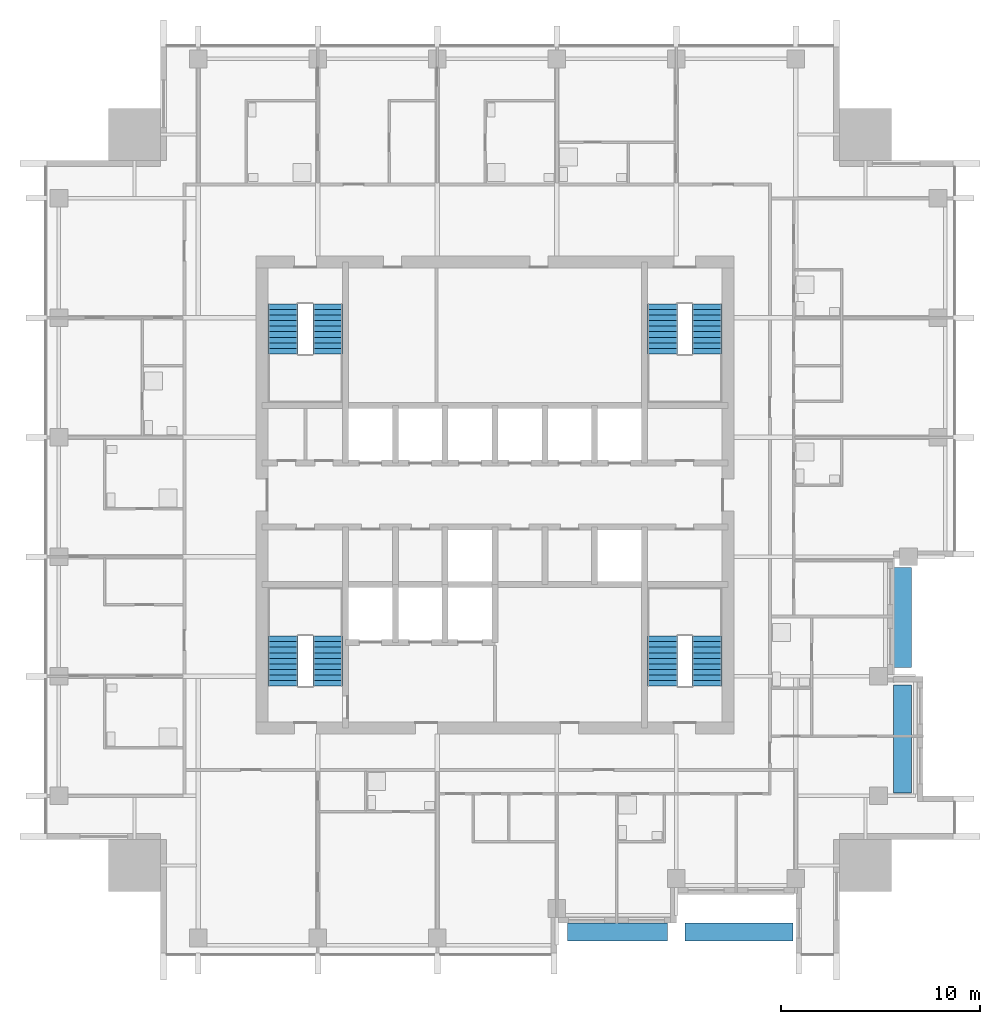
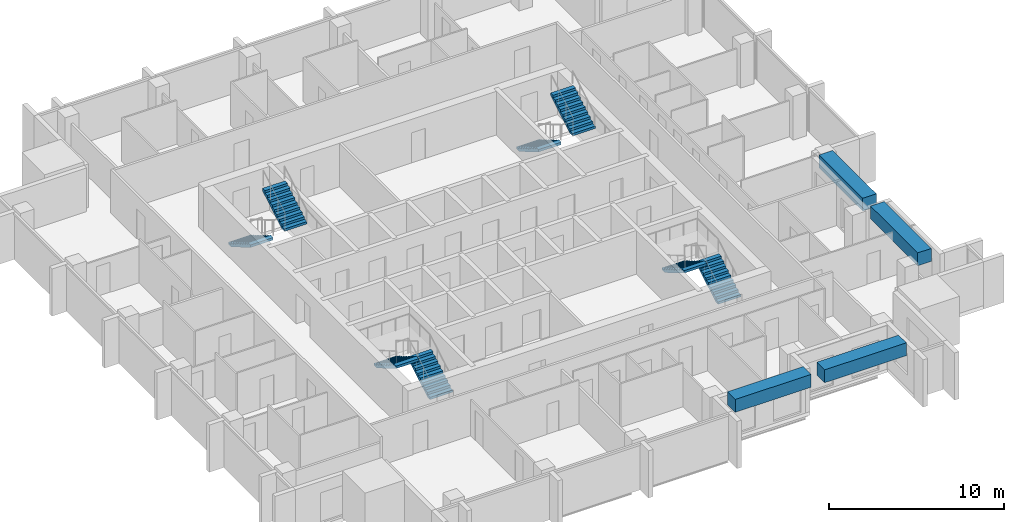
# One storey, part 8 of 10: 8 stair flights, 4 discrete accessories, 4 elements without a shape of their own.
"""IFC4 building model written with IfcOpenShell, lengths in metres."""

import ifcopenshell
import ifcopenshell.guid

model = None  # the IFC model being written
_history = None  # IfcOwnerHistory: only IFC2X3 demands one
_inside = {}  # id of a spatial element -> (the spatial element, [elements in it])
_under = {}  # id of a project, library or spatial element -> (it, [spatial elements below it])
_declared = {}  # id of a project -> (the project, [libraries it declares])
_typed = {}  # id of a type object -> (the type object, [elements of that type])
_made_of = {}  # id of a material, layer set ... -> (it, [elements and type objects made of it])


def new_model(schema):
    """Start an empty IFC model of exactly this schema.

    Asked for "IFC4X3", IfcOpenShell would pick the latest addendum, in which some entities
    have other attributes; the version numbers below select the first issue.
    IFC2X3 requires an IfcOwnerHistory on every rooted entity: one is made here for all.
    """
    global model, _history
    if schema == "IFC4X3":
        model = ifcopenshell.file(schema_version=(4, 3, 0, 0))
    else:
        model = ifcopenshell.file(schema=schema)
    _inside.clear()
    _under.clear()
    _declared.clear()
    _typed.clear()
    _made_of.clear()
    _history = None
    if model.schema == "IFC2X3":
        org = make("IfcOrganization", Name="unknown")
        user = make(
            "IfcPersonAndOrganization",
            ThePerson=make("IfcPerson", FamilyName="unknown"),
            TheOrganization=org,
        )
        app = make(
            "IfcApplication",
            ApplicationDeveloper=org,
            Version="unknown",
            ApplicationFullName="unknown",
            ApplicationIdentifier="unknown",
        )
        _history = make(
            "IfcOwnerHistory",
            OwningUser=user,
            OwningApplication=app,
            ChangeAction="ADDED",
            CreationDate=0,
        )
    return model


def make(cls, **values):
    """One entity of the class cls with the attributes given. An attribute that is None is left unset."""
    return model.create_entity(
        cls, **{name: value for name, value in values.items() if value is not None}
    )


def rooted(cls, **values):
    """An entity with a GlobalId (a new one), such as an element, a storey or a relation."""
    return make(cls, GlobalId=ifcopenshell.guid.new(), OwnerHistory=_history, **values)


def si_unit(unit_type, name, prefix=None):
    """IfcSIUnit, for example si_unit("LENGTHUNIT", "METRE", prefix="MILLI")."""
    return make("IfcSIUnit", UnitType=unit_type, Prefix=prefix, Name=name)


def assignment(units):
    """IfcUnitAssignment: the units of a project."""
    return None if units is None else make("IfcUnitAssignment", Units=units)


def point(xyz):
    """IfcCartesianPoint."""
    return None if xyz is None else make("IfcCartesianPoint", Coordinates=xyz)


def direction(xyz):
    """IfcDirection."""
    return None if xyz is None else make("IfcDirection", DirectionRatios=xyz)


def frame(location, z_axis=None, x_axis=None):
    """IfcAxis2Placement3D, a coordinate frame: its origin and axes. An axis left out is left unset."""
    return make(
        "IfcAxis2Placement3D",
        Location=point(location),
        Axis=direction(z_axis),
        RefDirection=direction(x_axis),
    )


def frame_2d(location, x_axis=None):
    """IfcAxis2Placement2D, a coordinate frame in the plane: its origin and x axis."""
    return make(
        "IfcAxis2Placement2D", Location=point(location), RefDirection=direction(x_axis)
    )


def origin():
    """The frame at (0, 0, 0) with its axes left unset."""
    return frame((0.0, 0.0, 0.0))


def origin_2d():
    """The frame at (0, 0) in the plane with its x axis left unset."""
    return frame_2d((0.0, 0.0))


def place(relative_to, where):
    """IfcLocalPlacement: puts the frame where relative to a parent placement (None: the world)."""
    return make(
        "IfcLocalPlacement", PlacementRelTo=relative_to, RelativePlacement=where
    )


def context(
    kind, dimensions, precision=None, world=None, true_north=None, identifier=None
):
    """IfcGeometricRepresentationContext, for example the 3D "Model" context."""
    return make(
        "IfcGeometricRepresentationContext",
        ContextIdentifier=identifier,
        ContextType=kind,
        CoordinateSpaceDimension=dimensions,
        Precision=precision,
        WorldCoordinateSystem=world,
        TrueNorth=true_north,
    )


def subcontext(parent, identifier, kind, view, scale=None):
    """IfcGeometricRepresentationSubContext, for example "Body" below "Model"."""
    return make(
        "IfcGeometricRepresentationSubContext",
        ContextIdentifier=identifier,
        ContextType=kind,
        ParentContext=parent,
        TargetScale=scale,
        TargetView=view,
    )


def project(units=None, contexts=None):
    """IfcProject with its units and contexts."""
    return rooted(
        "IfcProject",
        Name="project",
        RepresentationContexts=contexts,
        UnitsInContext=assignment(units),
    )


def spatial(cls, under=None, at=None, **own):
    """A site, building, storey or space (cls), placed at a placement, below another one or the project."""
    s = rooted(cls, ObjectPlacement=at, **own)
    if under is not None:
        _under.setdefault(under.id(), (under, []))[1].append(s)
    return s


def polyline(points):
    """IfcPolyline through the points."""
    return make("IfcPolyline", Points=[point(p) for p in points])


def profile(cls, at=None, kind="AREA", **sizes):
    """A parametric profile (cls). Its sizes go by their IFC names, for example OverallWidth=200.0."""
    return make(cls, ProfileType=kind, Position=at, **sizes)


def rectangle(**sizes):
    """IfcRectangleProfileDef."""
    return profile("IfcRectangleProfileDef", **sizes)


def outline(outer, holes=None, kind="AREA"):
    """IfcArbitraryClosedProfileDef: a profile drawn as a closed curve; with holes, ...WithVoids."""
    if holes is None:
        return make("IfcArbitraryClosedProfileDef", ProfileType=kind, OuterCurve=outer)
    return make(
        "IfcArbitraryProfileDefWithVoids",
        ProfileType=kind,
        OuterCurve=outer,
        InnerCurves=holes,
    )


def extrude(swept, where, along, depth):
    """IfcExtrudedAreaSolid: the profile swept, set in the frame where, extruded along a direction by depth."""
    return make(
        "IfcExtrudedAreaSolid",
        SweptArea=swept,
        Position=where,
        ExtrudedDirection=direction(along),
        Depth=depth,
    )


def shape(context_of_items, identifier, shape_type, items):
    """IfcShapeRepresentation: the items that make up one representation, for example the "Body"."""
    return make(
        "IfcShapeRepresentation",
        ContextOfItems=context_of_items,
        RepresentationIdentifier=identifier,
        RepresentationType=shape_type,
        Items=items,
    )


def material(Name=None, Category=None):
    """IfcMaterial."""
    return make("IfcMaterial", Name=Name, Category=Category)


def made_of(thing, what):
    """Note that an element or type object is made of a material, layer set ...; save() writes the relation."""
    if what is not None:
        _made_of.setdefault(what.id(), (what, []))[1].append(thing)
    return thing


def type_object(cls, material=None, **own):
    """A type object (cls), such as IfcWallType, which elements share."""
    return made_of(rooted(cls, **own), material)


def element(
    cls,
    number,
    at=None,
    inside=None,
    cuts=None,
    type_object=None,
    material=None,
    context=None,
    identifier="Body",
    shape_type=None,
    held_by="IfcProductDefinitionShape",
    body=None,
    shapes=None,
    **own,
):
    """One element of the class cls, such as IfcWall. Its Tag is "e" and its number.

    at: its placement. inside: the storey or other place that contains it. cuts: it is an
    opening in that element (IfcRelVoidsElement). A single representation is given by context,
    identifier, shape_type and body (its items); several are given by shapes. held_by: the class
    of the entity that holds the representations. save() writes the other relations.
    """
    e = rooted(cls, Tag="e%d" % number, ObjectPlacement=at, **own)
    if body is not None:
        shapes = [shape(context, identifier, shape_type, body)]
    if shapes is not None:
        e.Representation = make(held_by, Representations=shapes)
    if inside is not None:
        _inside.setdefault(inside.id(), (inside, []))[1].append(e)
    if cuts is not None:
        rooted(
            "IfcRelVoidsElement", RelatingBuildingElement=cuts, RelatedOpeningElement=e
        )
    if type_object is not None:
        _typed.setdefault(type_object.id(), (type_object, []))[1].append(e)
    return made_of(e, material)


def aggregate(whole, parts):
    """IfcRelAggregates: a whole, such as a stair, and the parts it consists of."""
    return rooted("IfcRelAggregates", RelatingObject=whole, RelatedObjects=parts)


def save(model, path):
    """Write the relations noted so far, then the file.

    IfcRelAggregates (storeys below a building ...), IfcRelContainedInSpatialStructure (elements
    in a storey), IfcRelDefinesByType, IfcRelAssociatesMaterial and IfcRelDeclares: one each for
    every whole, place, type object, material and project.
    """
    for whole, parts in _under.values():
        aggregate(whole, parts)
    for where, things in _inside.values():
        rooted(
            "IfcRelContainedInSpatialStructure",
            RelatedElements=things,
            RelatingStructure=where,
        )
    for kind, things in _typed.values():
        rooted("IfcRelDefinesByType", RelatedObjects=things, RelatingType=kind)
    for what, things in _made_of.values():
        rooted("IfcRelAssociatesMaterial", RelatedObjects=things, RelatingMaterial=what)
    for by, libraries in _declared.values():
        rooted("IfcRelDeclares", RelatingContext=by, RelatedDefinitions=libraries)
    model.write(path)


model = new_model("IFC4")

# Units and contexts
model_context = context("Model", 3, precision=1e-05, world=origin(), true_north=direction((0.0, 1.0)))
body_context = subcontext(model_context, "Body", "Model", "MODEL_VIEW")
ifc_project = project(units=[si_unit("LENGTHUNIT", "METRE"), si_unit("AREAUNIT", "SQUARE_METRE"), si_unit("VOLUMEUNIT", "CUBIC_METRE"), si_unit("PLANEANGLEUNIT", "RADIAN"), si_unit("MASSUNIT", "GRAM", prefix="KILO")], contexts=[model_context])

# Site, building, storey
site_placement = place(None, origin())
site = spatial("IfcSite", under=ifc_project, at=site_placement, CompositionType="ELEMENT")
building_placement = place(site_placement, origin())
building = spatial("IfcBuilding", under=site, at=building_placement, Name="Amberfall Residences", CompositionType="ELEMENT")
storey_placement = place(building_placement, frame((0.0, 0.0, 203.5)))
storey = spatial("IfcBuildingStorey", under=building, at=storey_placement, Name="L54", CompositionType="ELEMENT", Elevation=203.5)

# Stair, stair flights
ifc_material = material(Name="Concrete C40", Category="concrete")
stair_type = type_object("IfcStairType", Name="Exit stair 20 risers 165.0 mm", PredefinedType="HALF_TURN_STAIR", material=ifc_material)
stair_1_placement = place(storey_placement, origin())
stair_1 = element("IfcStair", 1, at=stair_1_placement, inside=storey, type_object=stair_type, Name="L54 Exit stair 1", PredefinedType="HALF_TURN_STAIR")
stair_flight_type = type_object("IfcStairFlightType", Name="Stair flight 10 risers 165.0 mm", PredefinedType="STRAIGHT", material=ifc_material)
stair_flight_1_placement = place(storey_placement, frame((66.10009765625, 35.89990234375, 0.0), z_axis=(0.0, 0.0, 1.0), x_axis=(0.0, 1.0, 0.0)))
stair_flight_1 = element("IfcStairFlight", 2, at=stair_flight_1_placement, type_object=stair_flight_type, Name="ST3 flight 1", NumberOfRisers=10, NumberOfTreads=9, PredefinedType="STRAIGHT", RiserHeight=0.165, TreadLength=0.28, context=body_context, shape_type="SweptSolid", body=[
    extrude(outline(polyline([(0.0, 0.0), (0.0, 0.1650390625), (0.280029296875, 0.1650390625), (0.280029296875, 0.330078125), (0.56005859375, 0.330078125), (0.56005859375, 0.4951171875), (0.840087890625, 0.4951171875), (0.840087890625, 0.659912109375), (1.1201171875, 0.659912109375), (1.1201171875, 0.824951171875), (1.39990234375, 0.824951171875), (1.39990234375, 0.989990234375), (1.679931640625, 0.989990234375), (1.679931640625, 1.155029296875), (1.9599609375, 1.155029296875), (1.9599609375, 1.320068359375), (2.239990234375, 1.320068359375), (2.239990234375, 1.485107421875), (2.52001953125, 1.485107421875), (2.52001953125, 1.64990234375), (2.52001953125, 1.31103515625), (0.295166015625, 0.0), (0.0, 0.0)])), frame((0.0, 0.75, 0.0), z_axis=(0.0, -1.0, 0.0), x_axis=(1.0, 0.0, 0.0)), (0.0, 0.0, 1.0), 1.5),
])
stair_flight_2_placement = place(storey_placement, frame((63.85009765625, 38.419921875, 1.64990234375), z_axis=(0.0, 0.0, 1.0), x_axis=(0.0, -1.0, 0.0)))
stair_flight_2 = element("IfcStairFlight", 3, at=stair_flight_2_placement, type_object=stair_flight_type, Name="ST3 flight 2", NumberOfRisers=10, NumberOfTreads=9, PredefinedType="STRAIGHT", RiserHeight=0.165, TreadLength=0.28, context=body_context, shape_type="SweptSolid", body=[
    extrude(outline(polyline([(0.0, 0.0), (0.0, 0.1650390625), (0.280029296875, 0.1650390625), (0.280029296875, 0.330078125), (0.56005859375, 0.330078125), (0.56005859375, 0.4951171875), (0.840087890625, 0.4951171875), (0.840087890625, 0.659912109375), (1.1201171875, 0.659912109375), (1.1201171875, 0.824951171875), (1.39990234375, 0.824951171875), (1.39990234375, 0.989990234375), (1.679931640625, 0.989990234375), (1.679931640625, 1.155029296875), (1.9599609375, 1.155029296875), (1.9599609375, 1.320068359375), (2.239990234375, 1.320068359375), (2.239990234375, 1.485107421875), (2.52001953125, 1.485107421875), (2.52001953125, 1.64990234375), (2.52001953125, 1.31103515625), (0.295166015625, 0.0), (0.0, 0.0)])), frame((0.0, 0.75, 0.0), z_axis=(0.0, -1.0, 0.0), x_axis=(1.0, 0.0, 0.0)), (0.0, 0.0, 1.0), 1.5),
])
aggregate(stair_1, [stair_flight_1, stair_flight_2])

stair_2_placement = place(storey_placement, origin())
stair_2 = element("IfcStair", 4, at=stair_2_placement, inside=storey, type_object=stair_type, Name="L54 Exit stair 2", PredefinedType="HALF_TURN_STAIR")
stair_flight_3_placement = place(storey_placement, frame((85.14990234375, 35.89990234375, 0.0), z_axis=(0.0, 0.0, 1.0), x_axis=(0.0, 1.0, 0.0)))
stair_flight_3 = element("IfcStairFlight", 5, at=stair_flight_3_placement, type_object=stair_flight_type, Name="ST3 flight 1", NumberOfRisers=10, NumberOfTreads=9, PredefinedType="STRAIGHT", RiserHeight=0.165, TreadLength=0.28, context=body_context, shape_type="SweptSolid", body=[
    extrude(outline(polyline([(0.0, 0.0), (0.0, 0.1650390625), (0.280029296875, 0.1650390625), (0.280029296875, 0.330078125), (0.56005859375, 0.330078125), (0.56005859375, 0.4951171875), (0.840087890625, 0.4951171875), (0.840087890625, 0.659912109375), (1.1201171875, 0.659912109375), (1.1201171875, 0.824951171875), (1.39990234375, 0.824951171875), (1.39990234375, 0.989990234375), (1.679931640625, 0.989990234375), (1.679931640625, 1.155029296875), (1.9599609375, 1.155029296875), (1.9599609375, 1.320068359375), (2.239990234375, 1.320068359375), (2.239990234375, 1.485107421875), (2.52001953125, 1.485107421875), (2.52001953125, 1.64990234375), (2.52001953125, 1.31103515625), (0.295166015625, 0.0), (0.0, 0.0)])), frame((0.0, 0.75, 0.0), z_axis=(0.0, -1.0, 0.0), x_axis=(1.0, 0.0, 0.0)), (0.0, 0.0, 1.0), 1.5),
])
stair_flight_4_placement = place(storey_placement, frame((82.89990234375, 38.419921875, 1.64990234375), z_axis=(0.0, 0.0, 1.0), x_axis=(0.0, -1.0, 0.0)))
stair_flight_4 = element("IfcStairFlight", 6, at=stair_flight_4_placement, type_object=stair_flight_type, Name="ST3 flight 2", NumberOfRisers=10, NumberOfTreads=9, PredefinedType="STRAIGHT", RiserHeight=0.165, TreadLength=0.28, context=body_context, shape_type="SweptSolid", body=[
    extrude(outline(polyline([(0.0, 0.0), (0.0, 0.1650390625), (0.280029296875, 0.1650390625), (0.280029296875, 0.330078125), (0.56005859375, 0.330078125), (0.56005859375, 0.4951171875), (0.840087890625, 0.4951171875), (0.840087890625, 0.659912109375), (1.1201171875, 0.659912109375), (1.1201171875, 0.824951171875), (1.39990234375, 0.824951171875), (1.39990234375, 0.989990234375), (1.679931640625, 0.989990234375), (1.679931640625, 1.155029296875), (1.9599609375, 1.155029296875), (1.9599609375, 1.320068359375), (2.239990234375, 1.320068359375), (2.239990234375, 1.485107421875), (2.52001953125, 1.485107421875), (2.52001953125, 1.64990234375), (2.52001953125, 1.31103515625), (0.295166015625, 0.0), (0.0, 0.0)])), frame((0.0, 0.75, 0.0), z_axis=(0.0, -1.0, 0.0), x_axis=(1.0, 0.0, 0.0)), (0.0, 0.0, 1.0), 1.5),
])
aggregate(stair_2, [stair_flight_3, stair_flight_4])

stair_3_placement = place(storey_placement, origin())
stair_3 = element("IfcStair", 7, at=stair_3_placement, inside=storey, type_object=stair_type, Name="L54 Exit stair 3", PredefinedType="HALF_TURN_STAIR")
stair_flight_5_placement = place(storey_placement, frame((82.89990234375, 55.10009765625, 0.0), z_axis=(0.0, 0.0, 1.0), x_axis=(0.0, -1.0, 0.0)))
stair_flight_5 = element("IfcStairFlight", 8, at=stair_flight_5_placement, type_object=stair_flight_type, Name="ST3 flight 1", NumberOfRisers=10, NumberOfTreads=9, PredefinedType="STRAIGHT", RiserHeight=0.165, TreadLength=0.28, context=body_context, shape_type="SweptSolid", body=[
    extrude(outline(polyline([(0.0, 0.0), (0.0, 0.1650390625), (0.280029296875, 0.1650390625), (0.280029296875, 0.330078125), (0.56005859375, 0.330078125), (0.56005859375, 0.4951171875), (0.840087890625, 0.4951171875), (0.840087890625, 0.659912109375), (1.1201171875, 0.659912109375), (1.1201171875, 0.824951171875), (1.39990234375, 0.824951171875), (1.39990234375, 0.989990234375), (1.679931640625, 0.989990234375), (1.679931640625, 1.155029296875), (1.9599609375, 1.155029296875), (1.9599609375, 1.320068359375), (2.239990234375, 1.320068359375), (2.239990234375, 1.485107421875), (2.52001953125, 1.485107421875), (2.52001953125, 1.64990234375), (2.52001953125, 1.31103515625), (0.295166015625, 0.0), (0.0, 0.0)])), frame((0.0, 0.75, 0.0), z_axis=(0.0, -1.0, 0.0), x_axis=(1.0, 0.0, 0.0)), (0.0, 0.0, 1.0), 1.5),
])
stair_flight_6_placement = place(storey_placement, frame((85.14990234375, 52.580078125, 1.64990234375), z_axis=(0.0, 0.0, 1.0), x_axis=(0.0, 1.0, 0.0)))
stair_flight_6 = element("IfcStairFlight", 9, at=stair_flight_6_placement, type_object=stair_flight_type, Name="ST3 flight 2", NumberOfRisers=10, NumberOfTreads=9, PredefinedType="STRAIGHT", RiserHeight=0.165, TreadLength=0.28, context=body_context, shape_type="SweptSolid", body=[
    extrude(outline(polyline([(0.0, 0.0), (0.0, 0.1650390625), (0.280029296875, 0.1650390625), (0.280029296875, 0.330078125), (0.56005859375, 0.330078125), (0.56005859375, 0.4951171875), (0.840087890625, 0.4951171875), (0.840087890625, 0.659912109375), (1.1201171875, 0.659912109375), (1.1201171875, 0.824951171875), (1.39990234375, 0.824951171875), (1.39990234375, 0.989990234375), (1.679931640625, 0.989990234375), (1.679931640625, 1.155029296875), (1.9599609375, 1.155029296875), (1.9599609375, 1.320068359375), (2.239990234375, 1.320068359375), (2.239990234375, 1.485107421875), (2.52001953125, 1.485107421875), (2.52001953125, 1.64990234375), (2.52001953125, 1.31103515625), (0.295166015625, 0.0), (0.0, 0.0)])), frame((0.0, 0.75, 0.0), z_axis=(0.0, -1.0, 0.0), x_axis=(1.0, 0.0, 0.0)), (0.0, 0.0, 1.0), 1.5),
])
aggregate(stair_3, [stair_flight_5, stair_flight_6])

stair_4_placement = place(storey_placement, origin())
stair_4 = element("IfcStair", 10, at=stair_4_placement, inside=storey, type_object=stair_type, Name="L54 Exit stair 4", PredefinedType="HALF_TURN_STAIR")
stair_flight_7_placement = place(storey_placement, frame((63.85009765625, 55.10009765625, 0.0), z_axis=(0.0, 0.0, 1.0), x_axis=(0.0, -1.0, 0.0)))
stair_flight_7 = element("IfcStairFlight", 11, at=stair_flight_7_placement, type_object=stair_flight_type, Name="ST3 flight 1", NumberOfRisers=10, NumberOfTreads=9, PredefinedType="STRAIGHT", RiserHeight=0.165, TreadLength=0.28, context=body_context, shape_type="SweptSolid", body=[
    extrude(outline(polyline([(0.0, 0.0), (0.0, 0.1650390625), (0.280029296875, 0.1650390625), (0.280029296875, 0.330078125), (0.56005859375, 0.330078125), (0.56005859375, 0.4951171875), (0.840087890625, 0.4951171875), (0.840087890625, 0.659912109375), (1.1201171875, 0.659912109375), (1.1201171875, 0.824951171875), (1.39990234375, 0.824951171875), (1.39990234375, 0.989990234375), (1.679931640625, 0.989990234375), (1.679931640625, 1.155029296875), (1.9599609375, 1.155029296875), (1.9599609375, 1.320068359375), (2.239990234375, 1.320068359375), (2.239990234375, 1.485107421875), (2.52001953125, 1.485107421875), (2.52001953125, 1.64990234375), (2.52001953125, 1.31103515625), (0.295166015625, 0.0), (0.0, 0.0)])), frame((0.0, 0.75, 0.0), z_axis=(0.0, -1.0, 0.0), x_axis=(1.0, 0.0, 0.0)), (0.0, 0.0, 1.0), 1.5),
])
stair_flight_8_placement = place(storey_placement, frame((66.10009765625, 52.580078125, 1.64990234375), z_axis=(0.0, 0.0, 1.0), x_axis=(0.0, 1.0, 0.0)))
stair_flight_8 = element("IfcStairFlight", 12, at=stair_flight_8_placement, type_object=stair_flight_type, Name="ST3 flight 2", NumberOfRisers=10, NumberOfTreads=9, PredefinedType="STRAIGHT", RiserHeight=0.165, TreadLength=0.28, context=body_context, shape_type="SweptSolid", body=[
    extrude(outline(polyline([(0.0, 0.0), (0.0, 0.1650390625), (0.280029296875, 0.1650390625), (0.280029296875, 0.330078125), (0.56005859375, 0.330078125), (0.56005859375, 0.4951171875), (0.840087890625, 0.4951171875), (0.840087890625, 0.659912109375), (1.1201171875, 0.659912109375), (1.1201171875, 0.824951171875), (1.39990234375, 0.824951171875), (1.39990234375, 0.989990234375), (1.679931640625, 0.989990234375), (1.679931640625, 1.155029296875), (1.9599609375, 1.155029296875), (1.9599609375, 1.320068359375), (2.239990234375, 1.320068359375), (2.239990234375, 1.485107421875), (2.52001953125, 1.485107421875), (2.52001953125, 1.64990234375), (2.52001953125, 1.31103515625), (0.295166015625, 0.0), (0.0, 0.0)])), frame((0.0, 0.75, 0.0), z_axis=(0.0, -1.0, 0.0), x_axis=(1.0, 0.0, 0.0)), (0.0, 0.0, 1.0), 1.5),
])
aggregate(stair_4, [stair_flight_7, stair_flight_8])

# Discrete accessories
discrete_accessory_1_placement = place(storey_placement, frame((86.75, 23.550048828125, 2.400146484375), z_axis=(0.0, 0.0, 1.0), x_axis=(1.0, 0.0, 0.0)))
element("IfcDiscreteAccessory", 13, at=discrete_accessory_1_placement, inside=storey, Name="Planter box L55 S4", ObjectType="PLANTER BOX", PredefinedType="USERDEFINED", context=body_context, shape_type="SweptSolid", body=[
    extrude(rectangle(XDim=5.39990234375, YDim=0.89990234375, at=origin_2d()), origin(), (0.0, 0.0, 1.0), 0.89990234375),
])
discrete_accessory_2_placement = place(storey_placement, frame((94.949951171875, 39.35009765625, 2.400146484375), z_axis=(0.0, 0.0, 1.0), x_axis=(0.0, 1.0, 0.0)))
element("IfcDiscreteAccessory", 14, at=discrete_accessory_2_placement, inside=storey, Name="Planter box L55 E4", ObjectType="PLANTER BOX", PredefinedType="USERDEFINED", context=body_context, shape_type="SweptSolid", body=[
    extrude(rectangle(XDim=5.0, YDim=0.89990234375, at=origin_2d()), origin(), (0.0, 0.0, 1.0), 0.89990234375),
])
discrete_accessory_3_placement = place(storey_placement, frame((80.64501953125, 23.550048828125, 2.400146484375), z_axis=(0.0, 0.0, 1.0), x_axis=(1.0, 0.0, 0.0)))
element("IfcDiscreteAccessory", 15, at=discrete_accessory_3_placement, inside=storey, Name="Planter box L55 S3", ObjectType="PLANTER BOX", PredefinedType="USERDEFINED", context=body_context, shape_type="SweptSolid", body=[
    extrude(rectangle(XDim=5.010009765625, YDim=0.89990234375, at=origin_2d()), origin(), (0.0, 0.0, 1.0), 0.89990234375),
])
discrete_accessory_4_placement = place(storey_placement, frame((94.949951171875, 33.25, 2.400146484375), z_axis=(0.0, 0.0, 1.0), x_axis=(0.0, 1.0, 0.0)))
element("IfcDiscreteAccessory", 16, at=discrete_accessory_4_placement, inside=storey, Name="Planter box L55 E3", ObjectType="PLANTER BOX", PredefinedType="USERDEFINED", context=body_context, shape_type="SweptSolid", body=[
    extrude(rectangle(XDim=5.39990234375, YDim=0.89990234375, at=origin_2d()), origin(), (0.0, 0.0, 1.0), 0.89990234375),
])

save(model, "model.ifc")
